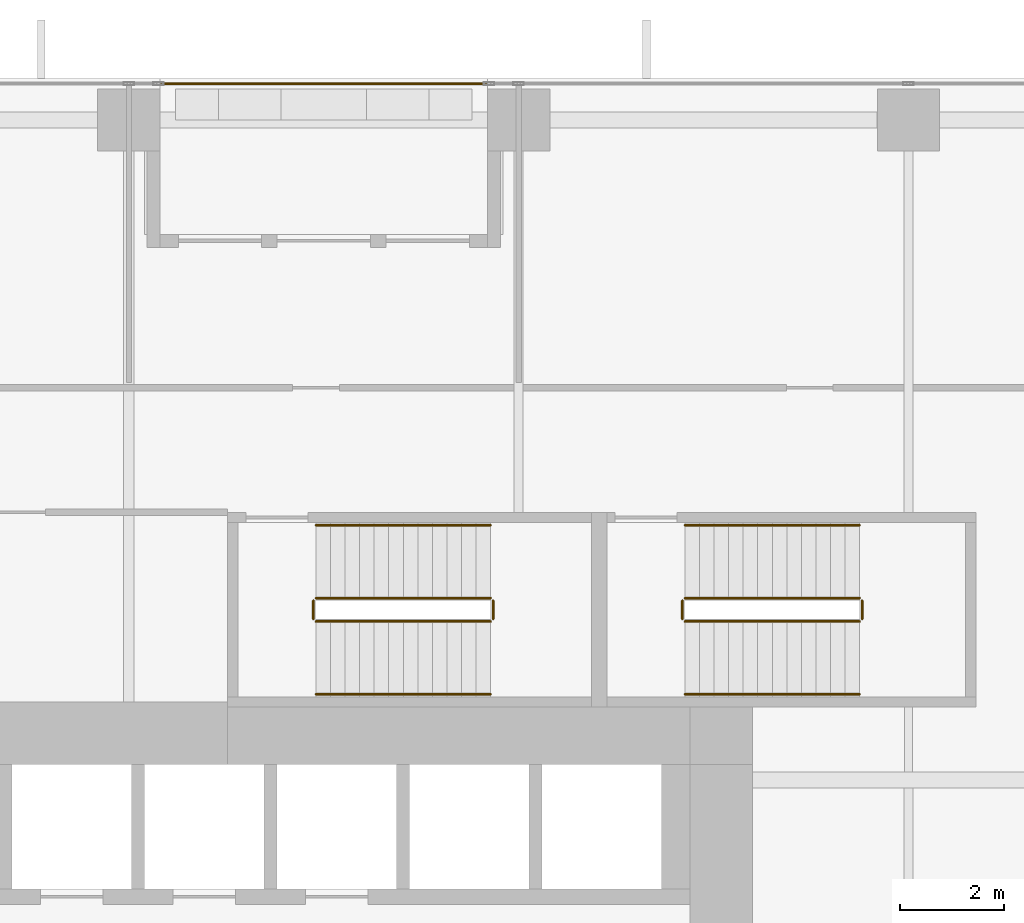
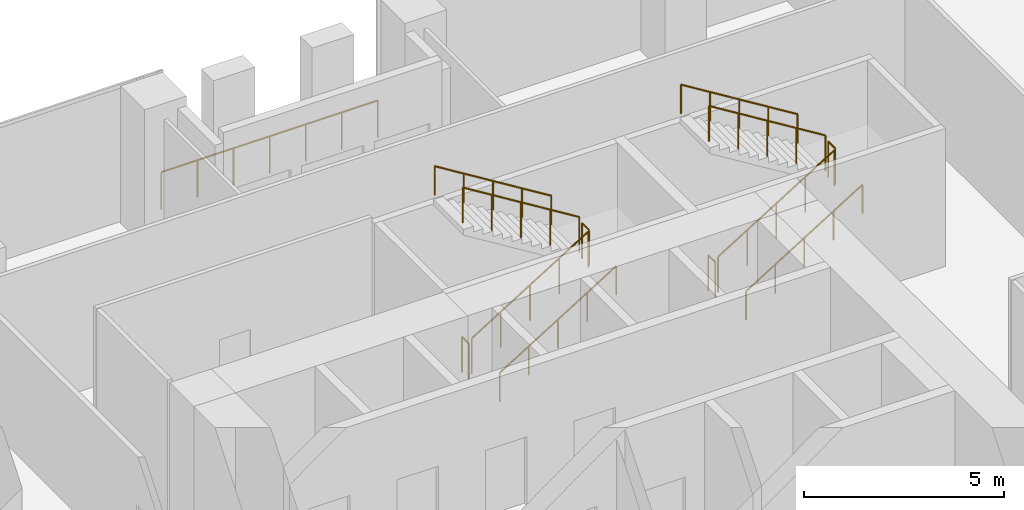
# One storey, part 31 of 32: 13 railings.
"""IFC4 building model written with IfcOpenShell, lengths in metres."""

from ifc_helpers import new_model, si_unit, direction, frame, origin, origin_2d, place, context, subcontext, project, spatial, circle, extrude, source, transform, mapped, material, type_object, element, save


model = new_model("IFC4")

# Units and contexts
model_context = context("Model", 3, precision=1e-05, world=origin(), true_north=direction((0.0, 1.0)))
body_context = subcontext(model_context, "Body", "Model", "MODEL_VIEW")
ifc_project = project(units=[si_unit("LENGTHUNIT", "METRE"), si_unit("AREAUNIT", "SQUARE_METRE"), si_unit("VOLUMEUNIT", "CUBIC_METRE"), si_unit("PLANEANGLEUNIT", "RADIAN"), si_unit("MASSUNIT", "GRAM", prefix="KILO")], contexts=[model_context])

# Site, building, storey
site_placement = place(None, origin())
site = spatial("IfcSite", under=ifc_project, at=site_placement, CompositionType="ELEMENT")
building_placement = place(site_placement, origin())
building = spatial("IfcBuilding", under=site, at=building_placement, Name="Khomas Fold Tower", CompositionType="ELEMENT")
storey_placement = place(building_placement, frame((0.0, 0.0, 37.5)))
storey = spatial("IfcBuildingStorey", under=building, at=storey_placement, Name="L07", CompositionType="ELEMENT", Elevation=37.5)

# Railings
ifc_material_1 = material(Name="Powder-coated steel", Category="steel")
railing_type_1 = type_object("IfcRailingType", Name="Balcony guard", PredefinedType="GUARDRAIL", material=ifc_material_1)
shared_shape_1 = source(origin(), body_context, "Body", "SweptSolid", [
    extrude(circle(Radius=0.02490234375, at=origin_2d()), frame((0.0, 0.0, 1.125), z_axis=(1.0, 0.0, 0.0), x_axis=(0.0, 1.0, 0.0)), (0.0, 0.0, 1.0), 6.240234375),
    extrude(circle(Radius=0.02001953125, at=origin_2d()), origin(), (0.0, 0.0, 1.0), 1.099853515625),
    extrude(circle(Radius=0.02001953125, at=origin_2d()), frame((1.0400390625, 0.0, 0.0)), (0.0, 0.0, 1.0), 1.099853515625),
    extrude(circle(Radius=0.02001953125, at=origin_2d()), frame((2.080078125, 0.0, 0.0)), (0.0, 0.0, 1.0), 1.099853515625),
    extrude(circle(Radius=0.02001953125, at=origin_2d()), frame((3.1201171875, 0.0, 0.0)), (0.0, 0.0, 1.0), 1.099853515625),
    extrude(circle(Radius=0.02001953125, at=origin_2d()), frame((4.16015625, 0.0, 0.0)), (0.0, 0.0, 1.0), 1.099853515625),
    extrude(circle(Radius=0.02001953125, at=origin_2d()), frame((5.2001953125, 0.0, 0.0)), (0.0, 0.0, 1.0), 1.099853515625),
    extrude(circle(Radius=0.02001953125, at=origin_2d()), frame((6.240234375, 0.0, 0.0)), (0.0, 0.0, 1.0), 1.099853515625),
])
railing_1_placement = place(storey_placement, frame((12.6298828125, 53.89990234375, -0.044921875)))
element("IfcRailing", 1, at=railing_1_placement, inside=storey, type_object=railing_type_1, Name="Balcony guard BAL-L07-N1", PredefinedType="GUARDRAIL", context=body_context, shape_type="MappedRepresentation", body=[
    mapped(shared_shape_1, transform((0.0, 0.0, 0.0))),
])
ifc_material_2 = material(Name="Steel balustrade", Category="steel")
railing_type_2 = type_object("IfcRailingType", Name="Stair guard", PredefinedType="GUARDRAIL", material=ifc_material_2)
shared_shape_2 = source(origin(), body_context, "Body", "SweptSolid", [
    extrude(circle(Radius=0.02392578125, at=origin_2d()), frame((0.0, 0.0, 1.076171875), z_axis=(0.850606129759, 0.0, 0.525803396734), x_axis=(0.0, 1.0, 0.0)), (0.0, 0.0, 1.0), 3.949951171875),
    extrude(circle(Radius=0.02099609375, at=origin_2d()), origin(), (0.0, 0.0, 1.0), 1.052001953125),
    extrude(circle(Radius=0.02099609375, at=origin_2d()), frame((0.83984375, 0.0, 0.519287109375)), (0.0, 0.0, 1.0), 1.052001953125),
    extrude(circle(Radius=0.02099609375, at=origin_2d()), frame((1.679931640625, 0.0, 1.03857421875)), (0.0, 0.0, 1.0), 1.052001953125),
    extrude(circle(Radius=0.02099609375, at=origin_2d()), frame((2.52001953125, 0.0, 1.5576171875)), (0.0, 0.0, 1.0), 1.052001953125),
    extrude(circle(Radius=0.02099609375, at=origin_2d()), frame((3.35986328125, 0.0, 2.076904296875)), (0.0, 0.0, 1.0), 1.052001953125),
])
railing_2_placement = place(storey_placement, frame((15.60009765625, 43.550048828125, 0.173095703125)))
element("IfcRailing", 2, at=railing_2_placement, inside=storey, type_object=railing_type_2, Name="L07 ST1 stair guard 1", PredefinedType="GUARDRAIL", context=body_context, shape_type="MappedRepresentation", body=[
    mapped(shared_shape_2, transform((0.0, 0.0, 0.0))),
])
shared_shape_3 = source(origin(), body_context, "Body", "SweptSolid", [
    extrude(circle(Radius=0.02392578125, at=origin_2d()), frame((0.0, 0.0, 1.076171875), z_axis=(0.0, 1.0, 0.0), x_axis=(-1.0, 0.0, 0.0)), (0.0, 0.0, 1.0), 0.349853515625),
    extrude(circle(Radius=0.02099609375, at=origin_2d()), origin(), (0.0, 0.0, 1.0), 1.052001953125),
    extrude(circle(Radius=0.02099609375, at=origin_2d()), frame((0.0, 0.349853515625, 0.0)), (0.0, 0.0, 1.0), 1.052001953125),
])
for number, where, name in (
    (3, (19.010009765625, 43.60009765625, 2.25), "L07 ST1 stair guard 2"),
    (4, (15.550048828125, 43.60009765625, 0.0), "L07 ST1 stair guard 4"),
    (5, (26.110107421875, 43.60009765625, 2.25), "L07 ST3 stair guard 2"),
    (6, (22.64990234375, 43.60009765625, 0.0), "L07 ST3 stair guard 4"),
):
    element("IfcRailing", number, at=place(storey_placement, frame(where)), inside=storey, type_object=railing_type_2, Name=name, PredefinedType="GUARDRAIL", context=body_context, shape_type="MappedRepresentation", body=[
        mapped(shared_shape_3, transform((0.0, 0.0, 0.0))),
    ])
shared_shape_4 = source(origin(), body_context, "Body", "SweptSolid", [
    extrude(circle(Radius=0.02392578125, at=origin_2d()), frame((0.0, 0.0, 1.076171875), z_axis=(-0.850606129759, 0.0, 0.525803396734), x_axis=(0.0, -1.0, 0.0)), (0.0, 0.0, 1.0), 3.949951171875),
    extrude(circle(Radius=0.02099609375, at=origin_2d()), origin(), (0.0, 0.0, 1.0), 1.052001953125),
    extrude(circle(Radius=0.02099609375, at=origin_2d()), frame((-0.83984375, 0.0, 0.519287109375)), (0.0, 0.0, 1.0), 1.052001953125),
    extrude(circle(Radius=0.02099609375, at=origin_2d()), frame((-1.679931640625, 0.0, 1.03857421875)), (0.0, 0.0, 1.0), 1.052001953125),
    extrude(circle(Radius=0.02099609375, at=origin_2d()), frame((-2.52001953125, 0.0, 1.5576171875)), (0.0, 0.0, 1.0), 1.052001953125),
    extrude(circle(Radius=0.02099609375, at=origin_2d()), frame((-3.35986328125, 0.0, 2.076904296875)), (0.0, 0.0, 1.0), 1.052001953125),
])
railing_3_placement = place(storey_placement, frame((18.9599609375, 44.0, 2.423095703125)))
element("IfcRailing", 7, at=railing_3_placement, inside=storey, type_object=railing_type_2, Name="L07 ST1 stair guard 3", PredefinedType="GUARDRAIL", context=body_context, shape_type="MappedRepresentation", body=[
    mapped(shared_shape_4, transform((0.0, 0.0, 0.0))),
])
ifc_material_3 = material(Name="Steel handrail", Category="steel")
railing_type_3 = type_object("IfcRailingType", Name="Stair handrail", PredefinedType="HANDRAIL", material=ifc_material_3)
shared_shape_5 = source(origin(), body_context, "Body", "SweptSolid", [
    extrude(circle(Radius=0.02392578125, at=origin_2d()), frame((0.0, 0.0, 0.8759765625), z_axis=(0.850606129759, 0.0, 0.525803396734), x_axis=(0.0, 1.0, 0.0)), (0.0, 0.0, 1.0), 3.949951171875),
    extrude(circle(Radius=0.02099609375, at=origin_2d()), origin(), (0.0, 0.0, 1.0), 0.851806640625),
    extrude(circle(Radius=0.02099609375, at=origin_2d()), frame((0.83984375, 0.0, 0.519287109375)), (0.0, 0.0, 1.0), 0.851806640625),
    extrude(circle(Radius=0.02099609375, at=origin_2d()), frame((1.679931640625, 0.0, 1.03857421875)), (0.0, 0.0, 1.0), 0.851806640625),
    extrude(circle(Radius=0.02099609375, at=origin_2d()), frame((2.52001953125, 0.0, 1.5576171875)), (0.0, 0.0, 1.0), 0.851806640625),
    extrude(circle(Radius=0.02099609375, at=origin_2d()), frame((3.35986328125, 0.0, 2.076904296875)), (0.0, 0.0, 1.0), 0.851806640625),
])
railing_4_placement = place(storey_placement, frame((15.60009765625, 42.14990234375, 0.173095703125)))
element("IfcRailing", 8, at=railing_4_placement, inside=storey, type_object=railing_type_3, Name="L07 ST1 stair handrail 1", PredefinedType="HANDRAIL", context=body_context, shape_type="MappedRepresentation", body=[
    mapped(shared_shape_5, transform((0.0, 0.0, 0.0))),
])
shared_shape_6 = source(origin(), body_context, "Body", "SweptSolid", [
    extrude(circle(Radius=0.02392578125, at=origin_2d()), frame((0.0, 0.0, 0.8759765625), z_axis=(-0.850606129759, 0.0, 0.525803396734), x_axis=(0.0, -1.0, 0.0)), (0.0, 0.0, 1.0), 3.949951171875),
    extrude(circle(Radius=0.02099609375, at=origin_2d()), origin(), (0.0, 0.0, 1.0), 0.851806640625),
    extrude(circle(Radius=0.02099609375, at=origin_2d()), frame((-0.83984375, 0.0, 0.519287109375)), (0.0, 0.0, 1.0), 0.851806640625),
    extrude(circle(Radius=0.02099609375, at=origin_2d()), frame((-1.679931640625, 0.0, 1.03857421875)), (0.0, 0.0, 1.0), 0.851806640625),
    extrude(circle(Radius=0.02099609375, at=origin_2d()), frame((-2.52001953125, 0.0, 1.5576171875)), (0.0, 0.0, 1.0), 0.851806640625),
    extrude(circle(Radius=0.02099609375, at=origin_2d()), frame((-3.35986328125, 0.0, 2.076904296875)), (0.0, 0.0, 1.0), 0.851806640625),
])
railing_5_placement = place(storey_placement, frame((18.9599609375, 45.39990234375, 2.423095703125)))
element("IfcRailing", 9, at=railing_5_placement, inside=storey, type_object=railing_type_3, Name="L07 ST1 stair handrail 2", PredefinedType="HANDRAIL", context=body_context, shape_type="MappedRepresentation", body=[
    mapped(shared_shape_6, transform((0.0, 0.0, 0.0))),
])
shared_shape_7 = source(origin(), body_context, "Body", "SweptSolid", [
    extrude(circle(Radius=0.02392578125, at=origin_2d()), frame((0.0, 0.0, 1.076171875), z_axis=(0.850623216509, 0.0, 0.525775754039), x_axis=(0.0, 1.0, 0.0)), (0.0, 0.0, 1.0), 3.9501953125),
    extrude(circle(Radius=0.02099609375, at=origin_2d()), origin(), (0.0, 0.0, 1.0), 1.052001953125),
    extrude(circle(Radius=0.02099609375, at=origin_2d()), frame((0.840087890625, 0.0, 0.519287109375)), (0.0, 0.0, 1.0), 1.052001953125),
    extrude(circle(Radius=0.02099609375, at=origin_2d()), frame((1.68017578125, 0.0, 1.03857421875)), (0.0, 0.0, 1.0), 1.052001953125),
    extrude(circle(Radius=0.02099609375, at=origin_2d()), frame((2.52001953125, 0.0, 1.5576171875)), (0.0, 0.0, 1.0), 1.052001953125),
    extrude(circle(Radius=0.02099609375, at=origin_2d()), frame((3.360107421875, 0.0, 2.076904296875)), (0.0, 0.0, 1.0), 1.052001953125),
])
railing_6_placement = place(storey_placement, frame((22.699951171875, 43.550048828125, 0.173095703125)))
element("IfcRailing", 10, at=railing_6_placement, inside=storey, type_object=railing_type_2, Name="L07 ST3 stair guard 1", PredefinedType="GUARDRAIL", context=body_context, shape_type="MappedRepresentation", body=[
    mapped(shared_shape_7, transform((0.0, 0.0, 0.0))),
])
shared_shape_8 = source(origin(), body_context, "Body", "SweptSolid", [
    extrude(circle(Radius=0.02392578125, at=origin_2d()), frame((0.0, 0.0, 1.076171875), z_axis=(-0.850623216509, 0.0, 0.525775754039), x_axis=(0.0, -1.0, 0.0)), (0.0, 0.0, 1.0), 3.9501953125),
    extrude(circle(Radius=0.02099609375, at=origin_2d()), origin(), (0.0, 0.0, 1.0), 1.052001953125),
    extrude(circle(Radius=0.02099609375, at=origin_2d()), frame((-0.840087890625, 0.0, 0.519287109375)), (0.0, 0.0, 1.0), 1.052001953125),
    extrude(circle(Radius=0.02099609375, at=origin_2d()), frame((-1.68017578125, 0.0, 1.03857421875)), (0.0, 0.0, 1.0), 1.052001953125),
    extrude(circle(Radius=0.02099609375, at=origin_2d()), frame((-2.52001953125, 0.0, 1.5576171875)), (0.0, 0.0, 1.0), 1.052001953125),
    extrude(circle(Radius=0.02099609375, at=origin_2d()), frame((-3.360107421875, 0.0, 2.076904296875)), (0.0, 0.0, 1.0), 1.052001953125),
])
railing_7_placement = place(storey_placement, frame((26.06005859375, 44.0, 2.423095703125)))
element("IfcRailing", 11, at=railing_7_placement, inside=storey, type_object=railing_type_2, Name="L07 ST3 stair guard 3", PredefinedType="GUARDRAIL", context=body_context, shape_type="MappedRepresentation", body=[
    mapped(shared_shape_8, transform((0.0, 0.0, 0.0))),
])
shared_shape_9 = source(origin(), body_context, "Body", "SweptSolid", [
    extrude(circle(Radius=0.02392578125, at=origin_2d()), frame((0.0, 0.0, 0.8759765625), z_axis=(0.850623216509, 0.0, 0.525775754039), x_axis=(0.0, 1.0, 0.0)), (0.0, 0.0, 1.0), 3.9501953125),
    extrude(circle(Radius=0.02099609375, at=origin_2d()), origin(), (0.0, 0.0, 1.0), 0.851806640625),
    extrude(circle(Radius=0.02099609375, at=origin_2d()), frame((0.840087890625, 0.0, 0.519287109375)), (0.0, 0.0, 1.0), 0.851806640625),
    extrude(circle(Radius=0.02099609375, at=origin_2d()), frame((1.68017578125, 0.0, 1.03857421875)), (0.0, 0.0, 1.0), 0.851806640625),
    extrude(circle(Radius=0.02099609375, at=origin_2d()), frame((2.52001953125, 0.0, 1.5576171875)), (0.0, 0.0, 1.0), 0.851806640625),
    extrude(circle(Radius=0.02099609375, at=origin_2d()), frame((3.360107421875, 0.0, 2.076904296875)), (0.0, 0.0, 1.0), 0.851806640625),
])
railing_8_placement = place(storey_placement, frame((22.699951171875, 42.14990234375, 0.173095703125)))
element("IfcRailing", 12, at=railing_8_placement, inside=storey, type_object=railing_type_3, Name="L07 ST3 stair handrail 1", PredefinedType="HANDRAIL", context=body_context, shape_type="MappedRepresentation", body=[
    mapped(shared_shape_9, transform((0.0, 0.0, 0.0))),
])
shared_shape_10 = source(origin(), body_context, "Body", "SweptSolid", [
    extrude(circle(Radius=0.02392578125, at=origin_2d()), frame((0.0, 0.0, 0.8759765625), z_axis=(-0.850623216509, 0.0, 0.525775754039), x_axis=(0.0, -1.0, 0.0)), (0.0, 0.0, 1.0), 3.9501953125),
    extrude(circle(Radius=0.02099609375, at=origin_2d()), origin(), (0.0, 0.0, 1.0), 0.851806640625),
    extrude(circle(Radius=0.02099609375, at=origin_2d()), frame((-0.840087890625, 0.0, 0.519287109375)), (0.0, 0.0, 1.0), 0.851806640625),
    extrude(circle(Radius=0.02099609375, at=origin_2d()), frame((-1.68017578125, 0.0, 1.03857421875)), (0.0, 0.0, 1.0), 0.851806640625),
    extrude(circle(Radius=0.02099609375, at=origin_2d()), frame((-2.52001953125, 0.0, 1.5576171875)), (0.0, 0.0, 1.0), 0.851806640625),
    extrude(circle(Radius=0.02099609375, at=origin_2d()), frame((-3.360107421875, 0.0, 2.076904296875)), (0.0, 0.0, 1.0), 0.851806640625),
])
railing_9_placement = place(storey_placement, frame((26.06005859375, 45.39990234375, 2.423095703125)))
element("IfcRailing", 13, at=railing_9_placement, inside=storey, type_object=railing_type_3, Name="L07 ST3 stair handrail 2", PredefinedType="HANDRAIL", context=body_context, shape_type="MappedRepresentation", body=[
    mapped(shared_shape_10, transform((0.0, 0.0, 0.0))),
])

save(model, "model.ifc")
